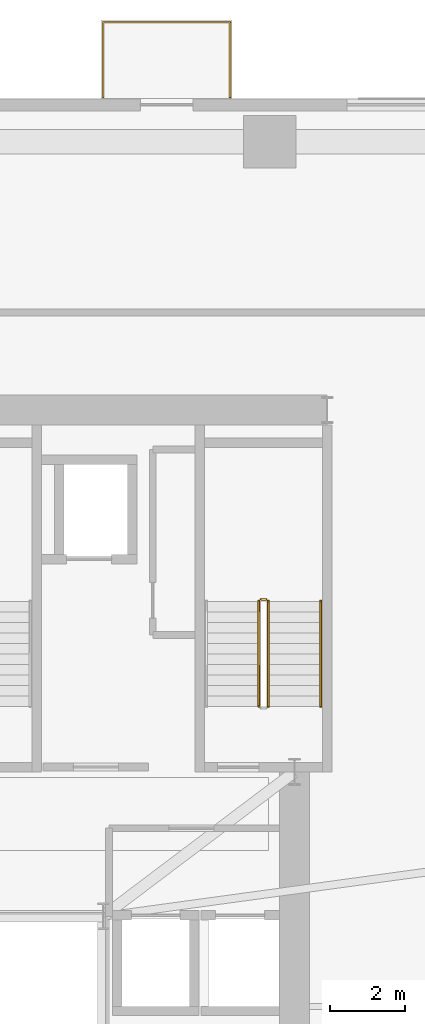
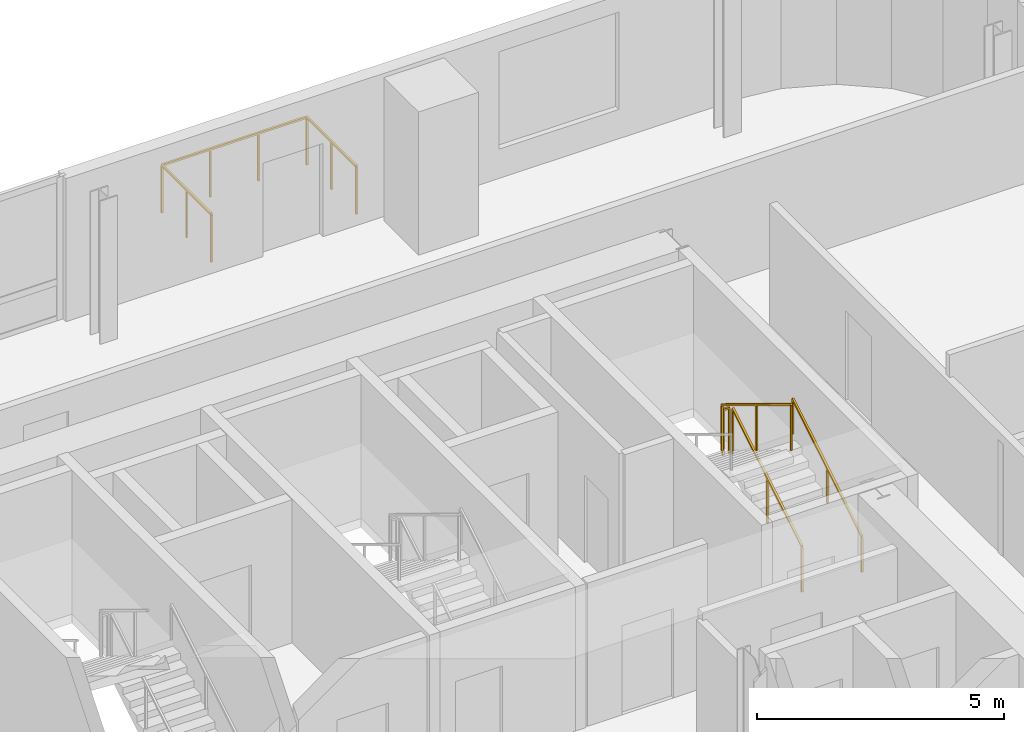
# One storey, part 16 of 16: 5 railings.
"""IFC4 building model written with IfcOpenShell, lengths in metres."""

from ifc_helpers import new_model, si_unit, direction, frame, origin, origin_2d, place, context, subcontext, project, spatial, rectangle, extrude, source, transform, mapped, material, type_object, element, save


model = new_model("IFC4")

# Units and contexts
model_context = context("Model", 3, precision=1e-05, world=origin(), true_north=direction((0.0, 1.0)))
body_context = subcontext(model_context, "Body", "Model", "MODEL_VIEW")
ifc_project = project(units=[si_unit("LENGTHUNIT", "METRE"), si_unit("AREAUNIT", "SQUARE_METRE"), si_unit("VOLUMEUNIT", "CUBIC_METRE"), si_unit("PLANEANGLEUNIT", "RADIAN"), si_unit("MASSUNIT", "GRAM", prefix="KILO")], contexts=[model_context])

# Site, building, storey
site_placement = place(None, origin())
site = spatial("IfcSite", under=ifc_project, at=site_placement, CompositionType="ELEMENT")
building_placement = place(site_placement, origin())
building = spatial("IfcBuilding", under=site, at=building_placement, Name="Vardaveli Station Tower", CompositionType="ELEMENT")
storey_placement = place(building_placement, frame((0.0, 0.0, 203.550048828125)))
storey = spatial("IfcBuildingStorey", under=building, at=storey_placement, Name="L52", CompositionType="ELEMENT", Elevation=203.550048828125)

# Railings
ifc_material_1 = material(Name="Laminated glass and stainless steel balustrade", Category="steel")
railing_type_1 = type_object("IfcRailingType", Name="RL-BAL-1200", PredefinedType="BALUSTRADE", material=ifc_material_1)
shared_shape_1 = source(origin(), body_context, "Body", "SweptSolid", [
    extrude(rectangle(XDim=0.048095703125, YDim=0.048095703125, at=origin_2d()), frame((0.0, 0.0, 1.17578125), z_axis=(0.0, 1.0, 0.0), x_axis=(-1.0, 0.0, 0.0)), (0.0, 0.0, 1.0), 2.0),
    extrude(rectangle(XDim=0.048095703125, YDim=0.048095703125, at=origin_2d()), frame((0.0, 2.0, 1.17578125), z_axis=(1.0, 0.0, 0.0), x_axis=(0.0, 1.0, 0.0)), (0.0, 0.0, 1.0), 3.3798828125),
    extrude(rectangle(XDim=0.048095703125, YDim=0.048095703125, at=origin_2d()), frame((3.3798828125, 2.0, 1.17578125), z_axis=(0.0, -1.0, 0.0), x_axis=(1.0, 0.0, 0.0)), (0.0, 0.0, 1.0), 2.0),
    extrude(rectangle(XDim=0.0419921875, YDim=0.0419921875, at=origin_2d()), origin(), (0.0, 0.0, 1.0), 1.15185546875),
    extrude(rectangle(XDim=0.0419921875, YDim=0.0419921875, at=origin_2d()), frame((0.0, 1.0, 0.0)), (0.0, 0.0, 1.0), 1.15185546875),
    extrude(rectangle(XDim=0.0419921875, YDim=0.0419921875, at=origin_2d()), frame((0.0, 2.0, 0.0)), (0.0, 0.0, 1.0), 1.15185546875),
    extrude(rectangle(XDim=0.0419921875, YDim=0.0419921875, at=origin_2d()), frame((1.126708984375, 2.0, 0.0)), (0.0, 0.0, 1.0), 1.15185546875),
    extrude(rectangle(XDim=0.0419921875, YDim=0.0419921875, at=origin_2d()), frame((2.253173828125, 2.0, 0.0)), (0.0, 0.0, 1.0), 1.15185546875),
    extrude(rectangle(XDim=0.0419921875, YDim=0.0419921875, at=origin_2d()), frame((3.3798828125, 2.0, 0.0)), (0.0, 0.0, 1.0), 1.15185546875),
    extrude(rectangle(XDim=0.0419921875, YDim=0.0419921875, at=origin_2d()), frame((3.3798828125, 1.0, 0.0)), (0.0, 0.0, 1.0), 1.15185546875),
    extrude(rectangle(XDim=0.0419921875, YDim=0.0419921875, at=origin_2d()), frame((3.3798828125, 0.0, 0.0)), (0.0, 0.0, 1.0), 1.15185546875),
])
railing_1_placement = place(storey_placement, frame((41.399658203125, 48.639892578125, 0.0)))
element("IfcRailing", 1, at=railing_1_placement, inside=storey, type_object=railing_type_1, Name="RL-LOG-L52-02", PredefinedType="BALUSTRADE", context=body_context, shape_type="MappedRepresentation", body=[
    mapped(shared_shape_1, transform((0.0, 0.0, 0.0), scale=1.0)),
])
ifc_material_2 = material(Name="Brushed AISI 316 stainless steel", Category="steel")
railing_type_2 = type_object("IfcRailingType", Name="RL-GUARD-1150", PredefinedType="GUARDRAIL", material=ifc_material_2)
shared_shape_2 = source(origin(), body_context, "Body", "SweptSolid", [
    extrude(rectangle(XDim=0.048095703125, YDim=0.048095703125, at=origin_2d()), frame((0.0, 0.0, 1.1259765625), z_axis=(-1.0, 0.0, 0.0), x_axis=(0.0, -1.0, 0.0)), (0.0, 0.0, 1.0), 0.14990234375),
    extrude(rectangle(XDim=0.0419921875, YDim=0.0419921875, at=origin_2d()), origin(), (0.0, 0.0, 1.0), 1.101806640625),
    extrude(rectangle(XDim=0.0419921875, YDim=0.0419921875, at=origin_2d()), frame((-0.14990234375, 0.0, 0.0)), (0.0, 0.0, 1.0), 1.101806640625),
])
railing_2_placement = place(storey_placement, frame((45.75, 35.25, 1.875)))
element("IfcRailing", 2, at=railing_2_placement, inside=storey, type_object=railing_type_2, Name="L52 ST-3 stair guard 2", PredefinedType="GUARDRAIL", context=body_context, shape_type="MappedRepresentation", body=[
    mapped(shared_shape_2, transform((0.0, 0.0, 0.0), scale=1.0)),
])
shared_shape_3 = source(origin(), body_context, "Body", "SweptSolid", [
    extrude(rectangle(XDim=0.048095703125, YDim=0.048095703125, at=origin_2d()), frame((0.0, 0.0, 1.1259765625), z_axis=(0.0, 0.854169791009, 0.51999420009), x_axis=(-1.0, 0.0, 0.0)), (0.0, 0.0, 1.0), 3.278076171875),
    extrude(rectangle(XDim=0.0419921875, YDim=0.0419921875, at=origin_2d()), origin(), (0.0, 0.0, 1.0), 1.101806640625),
    extrude(rectangle(XDim=0.0419921875, YDim=0.0419921875, at=origin_2d()), frame((0.0, 1.39990234375, 0.852294921875)), (0.0, 0.0, 1.0), 1.101806640625),
    extrude(rectangle(XDim=0.0419921875, YDim=0.0419921875, at=origin_2d()), frame((0.0, 2.800048828125, 1.70458984375)), (0.0, 0.0, 1.0), 1.101806640625),
])
railing_3_placement = place(storey_placement, frame((45.800048828125, 32.39990234375, 0.17041015625)))
element("IfcRailing", 3, at=railing_3_placement, inside=storey, type_object=railing_type_2, Name="L52 ST-3 stair guard 1", PredefinedType="GUARDRAIL", context=body_context, shape_type="MappedRepresentation", body=[
    mapped(shared_shape_3, transform((0.0, 0.0, 0.0), scale=1.0)),
])
shared_shape_4 = source(origin(), body_context, "Body", "SweptSolid", [
    extrude(rectangle(XDim=0.048095703125, YDim=0.048095703125, at=origin_2d()), frame((0.0, 0.0, 1.1259765625), z_axis=(0.0, -0.854169791009, 0.51999420009), x_axis=(1.0, 0.0, 0.0)), (0.0, 0.0, 1.0), 3.278076171875),
    extrude(rectangle(XDim=0.0419921875, YDim=0.0419921875, at=origin_2d()), origin(), (0.0, 0.0, 1.0), 1.101806640625),
    extrude(rectangle(XDim=0.0419921875, YDim=0.0419921875, at=origin_2d()), frame((0.0, -1.39990234375, 0.852294921875)), (0.0, 0.0, 1.0), 1.101806640625),
    extrude(rectangle(XDim=0.0419921875, YDim=0.0419921875, at=origin_2d()), frame((0.0, -2.800048828125, 1.70458984375)), (0.0, 0.0, 1.0), 1.101806640625),
])
railing_4_placement = place(storey_placement, frame((45.550048828125, 35.199951171875, 2.04541015625)))
element("IfcRailing", 4, at=railing_4_placement, inside=storey, type_object=railing_type_2, Name="L52 ST-3 stair guard 3", PredefinedType="GUARDRAIL", context=body_context, shape_type="MappedRepresentation", body=[
    mapped(shared_shape_4, transform((0.0, 0.0, 0.0), scale=1.0)),
])
railing_type_3 = type_object("IfcRailingType", Name="RL-HAND-900", PredefinedType="HANDRAIL", material=ifc_material_2)
shared_shape_5 = source(origin(), body_context, "Body", "SweptSolid", [
    extrude(rectangle(XDim=0.048095703125, YDim=0.048095703125, at=origin_2d()), frame((0.0, 0.0, 0.8759765625), z_axis=(0.0, 0.854169791009, 0.51999420009), x_axis=(-1.0, 0.0, 0.0)), (0.0, 0.0, 1.0), 3.278076171875),
    extrude(rectangle(XDim=0.0419921875, YDim=0.0419921875, at=origin_2d()), origin(), (0.0, 0.0, 1.0), 0.851806640625),
    extrude(rectangle(XDim=0.0419921875, YDim=0.0419921875, at=origin_2d()), frame((0.0, 1.39990234375, 0.852294921875)), (0.0, 0.0, 1.0), 0.851806640625),
    extrude(rectangle(XDim=0.0419921875, YDim=0.0419921875, at=origin_2d()), frame((0.0, 2.800048828125, 1.70458984375)), (0.0, 0.0, 1.0), 0.851806640625),
])
railing_5_placement = place(storey_placement, frame((47.199951171875, 32.39990234375, 0.17041015625)))
element("IfcRailing", 5, at=railing_5_placement, inside=storey, type_object=railing_type_3, Name="L52 ST-3 stair handrail 1", PredefinedType="HANDRAIL", context=body_context, shape_type="MappedRepresentation", body=[
    mapped(shared_shape_5, transform((0.0, 0.0, 0.0), scale=1.0)),
])

save(model, "model.ifc")
